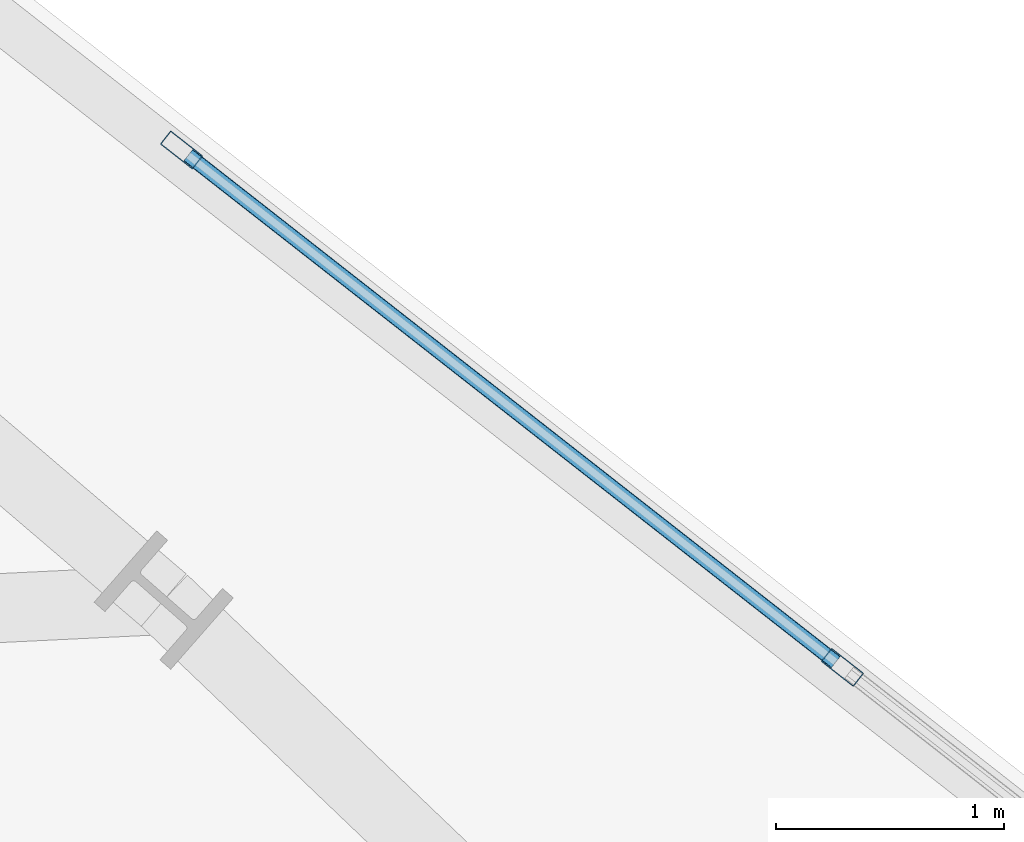
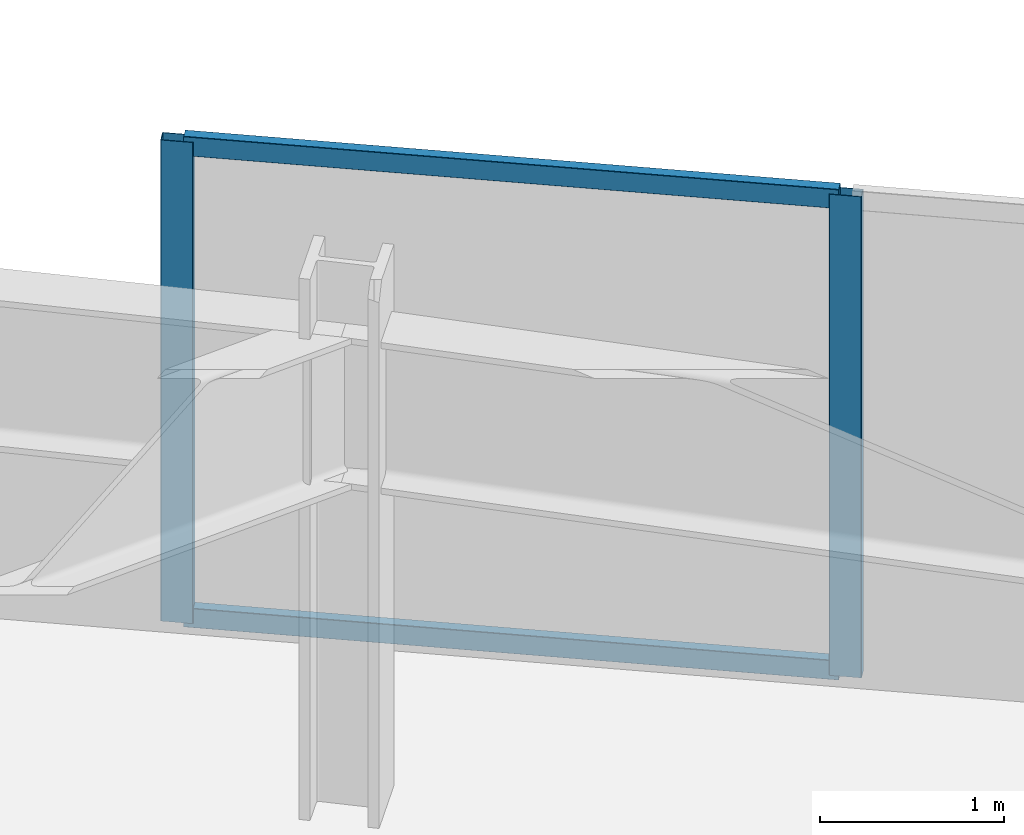
# One storey, part 6 of 15: 4 members, 1 element without a shape of its own.
"""IFC4 building model written with IfcOpenShell, lengths in metres."""

from ifc_helpers import new_model, si_unit, direction, frame, origin, origin_2d, place, context, subcontext, project, spatial, hollow_rectangle, extrude, material, material_profile, profile_set, type_object, element, aggregate, save


model = new_model("IFC4")

# Units and contexts
model_context = context("Model", 3, precision=1e-05, world=origin(), true_north=direction((0.0, 1.0)))
body_context = subcontext(model_context, "Body", "Model", "MODEL_VIEW")
ifc_project = project(units=[si_unit("LENGTHUNIT", "METRE"), si_unit("AREAUNIT", "SQUARE_METRE"), si_unit("VOLUMEUNIT", "CUBIC_METRE"), si_unit("PLANEANGLEUNIT", "RADIAN"), si_unit("MASSUNIT", "GRAM", prefix="KILO")], contexts=[model_context])

# Site, building, storey
site_placement = place(None, origin())
site = spatial("IfcSite", under=ifc_project, at=site_placement, CompositionType="ELEMENT")
building_placement = place(site_placement, origin())
building = spatial("IfcBuilding", under=site, at=building_placement, Name="Narakoshi Arena Tower", CompositionType="ELEMENT")
storey_placement = place(building_placement, frame((0.0, 0.0, 92.10009765625)))
storey = spatial("IfcBuildingStorey", under=building, at=storey_placement, Name="L24", CompositionType="ELEMENT", Elevation=92.10009765625)

# Curtain wall, members
ifc_material = material(Name="Anodised bronze aluminium 6063-T6", Category="aluminium")
curtain_wall_type = type_object("IfcCurtainWallType", Name="CW-HYP-LOW", PredefinedType="NOTDEFINED", material=ifc_material)
curtain_wall_placement = place(storey_placement, origin())
curtain_wall = element("IfcCurtainWall", 1, at=curtain_wall_placement, inside=storey, type_object=curtain_wall_type, Name="L24 Folded Hypotenuse Curtain Wall 1-1", PredefinedType="NOTDEFINED")
ifc_material_profile_1 = material_profile(ifc_material, hollow_rectangle(XDim=0.074951171875, YDim=0.179931640625, WallThickness=0.00390625, OuterFilletRadius=0.0048828125, at=origin_2d()), Name="MUL180x75x4")
ifc_profile_set_1 = profile_set([ifc_material_profile_1], Name="Anodised bronze aluminium 6063-T6")
member_type_1 = type_object("IfcMemberType", Name="MEM-MUL-180", PredefinedType="MULLION", material=ifc_profile_set_1)
member_1_placement = place(storey_placement, frame((97.45361328125, 56.639892578125, 0.0), z_axis=(0.0, 0.0, 1.0), x_axis=(-0.616456832822, -0.787388705321, 0.0)))
member_1 = element("IfcMember", 2, at=member_1_placement, type_object=member_type_1, Name="CW-01 mullion 9", PredefinedType="MULLION", context=body_context, shape_type="SweptSolid", body=[
    extrude(hollow_rectangle(XDim=0.074951171875, YDim=0.179931640625, WallThickness=0.00390625, OuterFilletRadius=0.0048828125, at=origin_2d()), origin(), (0.0, 0.0, 1.0), 3.199951171875),
])
member_2_placement = place(storey_placement, frame((94.55712890625, 58.907470703125, 0.0), z_axis=(0.0, 0.0, 1.0), x_axis=(-0.616456832822, -0.787388705321, 0.0)))
member_2 = element("IfcMember", 3, at=member_2_placement, type_object=member_type_1, Name="CW-01 mullion 10", PredefinedType="MULLION", context=body_context, shape_type="SweptSolid", body=[
    extrude(hollow_rectangle(XDim=0.074951171875, YDim=0.179931640625, WallThickness=0.00390625, OuterFilletRadius=0.0048828125, at=origin_2d()), origin(), (0.0, 0.0, 1.0), 3.199951171875),
])
ifc_material_profile_2 = material_profile(ifc_material, hollow_rectangle(XDim=0.06494140625, YDim=0.1298828125, WallThickness=0.00390625, OuterFilletRadius=0.0048828125, at=origin_2d()), Name="TRN130x65x4")
ifc_profile_set_2 = profile_set([ifc_material_profile_2], Name="Anodised bronze aluminium 6063-T6")
member_type_2 = type_object("IfcMemberType", Name="MEM-TRN-130", PredefinedType="USERDEFINED", material=ifc_profile_set_2)
member_3_placement = place(storey_placement, frame((97.424072265625, 56.662841796875, 0.032470703125), z_axis=(-0.787356299908, 0.616498221405, 0.0), x_axis=(-0.616498221405, -0.787356299908, 0.0)))
member_3 = element("IfcMember", 4, at=member_3_placement, type_object=member_type_2, Name="CW-01 transom 9.1", ObjectType="TRANSOM", PredefinedType="USERDEFINED", context=body_context, shape_type="SweptSolid", body=[
    extrude(hollow_rectangle(XDim=0.06494140625, YDim=0.1298828125, WallThickness=0.00390625, OuterFilletRadius=0.0048828125, at=origin_2d()), origin(), (0.0, 0.0, 1.0), 3.603759765625),
])
member_4_placement = place(storey_placement, frame((97.424072265625, 56.662841796875, 3.16748046875), z_axis=(-0.787356299908, 0.616498221405, 0.0), x_axis=(-0.616498221405, -0.787356299908, 0.0)))
member_4 = element("IfcMember", 5, at=member_4_placement, type_object=member_type_2, Name="CW-01 transom 9.2", ObjectType="TRANSOM", PredefinedType="USERDEFINED", context=body_context, shape_type="SweptSolid", body=[
    extrude(hollow_rectangle(XDim=0.06494140625, YDim=0.1298828125, WallThickness=0.00390625, OuterFilletRadius=0.0048828125, at=origin_2d()), origin(), (0.0, 0.0, 1.0), 3.603759765625),
])
aggregate(curtain_wall, [member_1, member_2, member_3, member_4])

save(model, "model.ifc")
